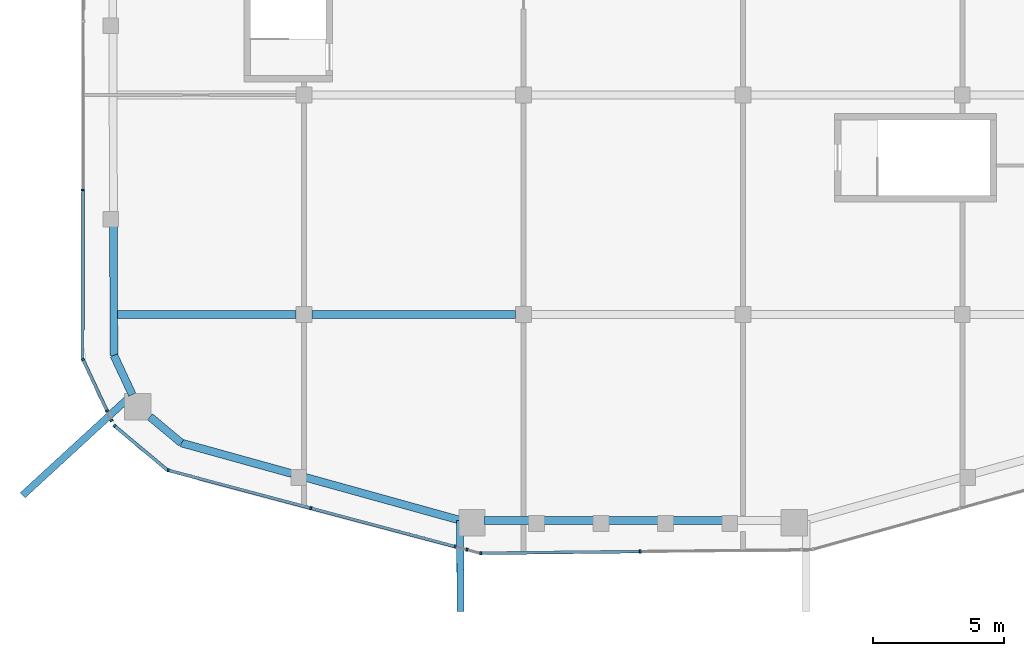
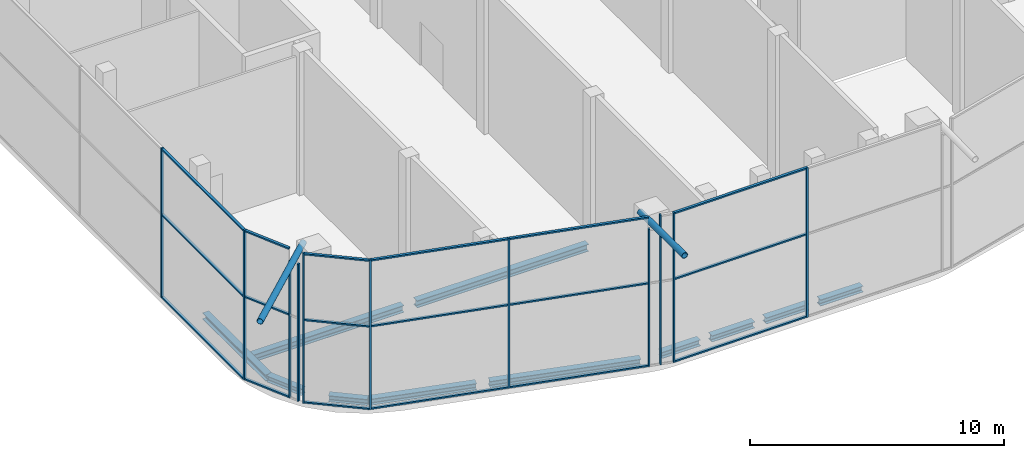
# One storey, part 2 of 23: 31 members, 11 beams, 8 elements without a shape of their own.
"""IFC4 building model written with IfcOpenShell, lengths in metres."""

import ifcopenshell
import ifcopenshell.guid

model = None  # the IFC model being written
_history = None  # IfcOwnerHistory: only IFC2X3 demands one
_inside = {}  # id of a spatial element -> (the spatial element, [elements in it])
_under = {}  # id of a project, library or spatial element -> (it, [spatial elements below it])
_declared = {}  # id of a project -> (the project, [libraries it declares])
_typed = {}  # id of a type object -> (the type object, [elements of that type])
_made_of = {}  # id of a material, layer set ... -> (it, [elements and type objects made of it])


def new_model(schema):
    """Start an empty IFC model of exactly this schema.

    Asked for "IFC4X3", IfcOpenShell would pick the latest addendum, in which some entities
    have other attributes; the version numbers below select the first issue.
    IFC2X3 requires an IfcOwnerHistory on every rooted entity: one is made here for all.
    """
    global model, _history
    if schema == "IFC4X3":
        model = ifcopenshell.file(schema_version=(4, 3, 0, 0))
    else:
        model = ifcopenshell.file(schema=schema)
    _inside.clear()
    _under.clear()
    _declared.clear()
    _typed.clear()
    _made_of.clear()
    _history = None
    if model.schema == "IFC2X3":
        org = make("IfcOrganization", Name="unknown")
        user = make(
            "IfcPersonAndOrganization",
            ThePerson=make("IfcPerson", FamilyName="unknown"),
            TheOrganization=org,
        )
        app = make(
            "IfcApplication",
            ApplicationDeveloper=org,
            Version="unknown",
            ApplicationFullName="unknown",
            ApplicationIdentifier="unknown",
        )
        _history = make(
            "IfcOwnerHistory",
            OwningUser=user,
            OwningApplication=app,
            ChangeAction="ADDED",
            CreationDate=0,
        )
    return model


def make(cls, **values):
    """One entity of the class cls with the attributes given. An attribute that is None is left unset."""
    return model.create_entity(
        cls, **{name: value for name, value in values.items() if value is not None}
    )


def rooted(cls, **values):
    """An entity with a GlobalId (a new one), such as an element, a storey or a relation."""
    return make(cls, GlobalId=ifcopenshell.guid.new(), OwnerHistory=_history, **values)


def si_unit(unit_type, name, prefix=None):
    """IfcSIUnit, for example si_unit("LENGTHUNIT", "METRE", prefix="MILLI")."""
    return make("IfcSIUnit", UnitType=unit_type, Prefix=prefix, Name=name)


def assignment(units):
    """IfcUnitAssignment: the units of a project."""
    return None if units is None else make("IfcUnitAssignment", Units=units)


def point(xyz):
    """IfcCartesianPoint."""
    return None if xyz is None else make("IfcCartesianPoint", Coordinates=xyz)


def direction(xyz):
    """IfcDirection."""
    return None if xyz is None else make("IfcDirection", DirectionRatios=xyz)


def frame(location, z_axis=None, x_axis=None):
    """IfcAxis2Placement3D, a coordinate frame: its origin and axes. An axis left out is left unset."""
    return make(
        "IfcAxis2Placement3D",
        Location=point(location),
        Axis=direction(z_axis),
        RefDirection=direction(x_axis),
    )


def frame_2d(location, x_axis=None):
    """IfcAxis2Placement2D, a coordinate frame in the plane: its origin and x axis."""
    return make(
        "IfcAxis2Placement2D", Location=point(location), RefDirection=direction(x_axis)
    )


def origin():
    """The frame at (0, 0, 0) with its axes left unset."""
    return frame((0.0, 0.0, 0.0))


def origin_2d():
    """The frame at (0, 0) in the plane with its x axis left unset."""
    return frame_2d((0.0, 0.0))


def place(relative_to, where):
    """IfcLocalPlacement: puts the frame where relative to a parent placement (None: the world)."""
    return make(
        "IfcLocalPlacement", PlacementRelTo=relative_to, RelativePlacement=where
    )


def context(
    kind, dimensions, precision=None, world=None, true_north=None, identifier=None
):
    """IfcGeometricRepresentationContext, for example the 3D "Model" context."""
    return make(
        "IfcGeometricRepresentationContext",
        ContextIdentifier=identifier,
        ContextType=kind,
        CoordinateSpaceDimension=dimensions,
        Precision=precision,
        WorldCoordinateSystem=world,
        TrueNorth=true_north,
    )


def subcontext(parent, identifier, kind, view, scale=None):
    """IfcGeometricRepresentationSubContext, for example "Body" below "Model"."""
    return make(
        "IfcGeometricRepresentationSubContext",
        ContextIdentifier=identifier,
        ContextType=kind,
        ParentContext=parent,
        TargetScale=scale,
        TargetView=view,
    )


def project(units=None, contexts=None):
    """IfcProject with its units and contexts."""
    return rooted(
        "IfcProject",
        Name="project",
        RepresentationContexts=contexts,
        UnitsInContext=assignment(units),
    )


def spatial(cls, under=None, at=None, **own):
    """A site, building, storey or space (cls), placed at a placement, below another one or the project."""
    s = rooted(cls, ObjectPlacement=at, **own)
    if under is not None:
        _under.setdefault(under.id(), (under, []))[1].append(s)
    return s


def profile(cls, at=None, kind="AREA", **sizes):
    """A parametric profile (cls). Its sizes go by their IFC names, for example OverallWidth=200.0."""
    return make(cls, ProfileType=kind, Position=at, **sizes)


def rectangle(**sizes):
    """IfcRectangleProfileDef."""
    return profile("IfcRectangleProfileDef", **sizes)


def hollow_circle(**sizes):
    """IfcCircleHollowProfileDef."""
    return profile("IfcCircleHollowProfileDef", **sizes)


def i_section(**sizes):
    """IfcIShapeProfileDef."""
    return profile("IfcIShapeProfileDef", **sizes)


def extrude(swept, where, along, depth):
    """IfcExtrudedAreaSolid: the profile swept, set in the frame where, extruded along a direction by depth."""
    return make(
        "IfcExtrudedAreaSolid",
        SweptArea=swept,
        Position=where,
        ExtrudedDirection=direction(along),
        Depth=depth,
    )


def shape(context_of_items, identifier, shape_type, items):
    """IfcShapeRepresentation: the items that make up one representation, for example the "Body"."""
    return make(
        "IfcShapeRepresentation",
        ContextOfItems=context_of_items,
        RepresentationIdentifier=identifier,
        RepresentationType=shape_type,
        Items=items,
    )


def material(Name=None, Category=None):
    """IfcMaterial."""
    return make("IfcMaterial", Name=Name, Category=Category)


def layer(
    of_material, thickness, ventilated=None, Name=None, Category=None, Priority=None
):
    """IfcMaterialLayer: one layer of a wall or slab, of a material (None: an air gap)."""
    return make(
        "IfcMaterialLayer",
        Material=of_material,
        LayerThickness=thickness,
        IsVentilated=ventilated,
        Name=Name,
        Category=Category,
        Priority=Priority,
    )


def layer_set(layers, Name=None):
    """IfcMaterialLayerSet."""
    return make("IfcMaterialLayerSet", MaterialLayers=layers, LayerSetName=Name)


def material_profile(
    of_material, cross_section, Name=None, Category=None, Priority=None
):
    """IfcMaterialProfile: a cross section and its material."""
    return make(
        "IfcMaterialProfile",
        Name=Name,
        Material=of_material,
        Profile=cross_section,
        Priority=Priority,
        Category=Category,
    )


def profile_set(profiles, Name=None, composite=None):
    """IfcMaterialProfileSet."""
    return make(
        "IfcMaterialProfileSet",
        Name=Name,
        MaterialProfiles=profiles,
        CompositeProfile=composite,
    )


def made_of(thing, what):
    """Note that an element or type object is made of a material, layer set ...; save() writes the relation."""
    if what is not None:
        _made_of.setdefault(what.id(), (what, []))[1].append(thing)
    return thing


def type_object(cls, material=None, **own):
    """A type object (cls), such as IfcWallType, which elements share."""
    return made_of(rooted(cls, **own), material)


def element(
    cls,
    number,
    at=None,
    inside=None,
    cuts=None,
    type_object=None,
    material=None,
    context=None,
    identifier="Body",
    shape_type=None,
    held_by="IfcProductDefinitionShape",
    body=None,
    shapes=None,
    **own,
):
    """One element of the class cls, such as IfcWall. Its Tag is "e" and its number.

    at: its placement. inside: the storey or other place that contains it. cuts: it is an
    opening in that element (IfcRelVoidsElement). A single representation is given by context,
    identifier, shape_type and body (its items); several are given by shapes. held_by: the class
    of the entity that holds the representations. save() writes the other relations.
    """
    e = rooted(cls, Tag="e%d" % number, ObjectPlacement=at, **own)
    if body is not None:
        shapes = [shape(context, identifier, shape_type, body)]
    if shapes is not None:
        e.Representation = make(held_by, Representations=shapes)
    if inside is not None:
        _inside.setdefault(inside.id(), (inside, []))[1].append(e)
    if cuts is not None:
        rooted(
            "IfcRelVoidsElement", RelatingBuildingElement=cuts, RelatedOpeningElement=e
        )
    if type_object is not None:
        _typed.setdefault(type_object.id(), (type_object, []))[1].append(e)
    return made_of(e, material)


def aggregate(whole, parts):
    """IfcRelAggregates: a whole, such as a stair, and the parts it consists of."""
    return rooted("IfcRelAggregates", RelatingObject=whole, RelatedObjects=parts)


def save(model, path):
    """Write the relations noted so far, then the file.

    IfcRelAggregates (storeys below a building ...), IfcRelContainedInSpatialStructure (elements
    in a storey), IfcRelDefinesByType, IfcRelAssociatesMaterial and IfcRelDeclares: one each for
    every whole, place, type object, material and project.
    """
    for whole, parts in _under.values():
        aggregate(whole, parts)
    for where, things in _inside.values():
        rooted(
            "IfcRelContainedInSpatialStructure",
            RelatedElements=things,
            RelatingStructure=where,
        )
    for kind, things in _typed.values():
        rooted("IfcRelDefinesByType", RelatedObjects=things, RelatingType=kind)
    for what, things in _made_of.values():
        rooted("IfcRelAssociatesMaterial", RelatedObjects=things, RelatingMaterial=what)
    for by, libraries in _declared.values():
        rooted("IfcRelDeclares", RelatingContext=by, RelatedDefinitions=libraries)
    model.write(path)


model = new_model("IFC4")

# Units and contexts
model_context = context("Model", 3, precision=1e-05, world=origin(), true_north=direction((0.0, 1.0)))
body_context = subcontext(model_context, "Body", "Model", "MODEL_VIEW")
ifc_project = project(units=[si_unit("LENGTHUNIT", "METRE"), si_unit("AREAUNIT", "SQUARE_METRE"), si_unit("VOLUMEUNIT", "CUBIC_METRE"), si_unit("PLANEANGLEUNIT", "RADIAN"), si_unit("MASSUNIT", "GRAM", prefix="KILO")], contexts=[model_context])

# Site, building, storey
site_placement = place(None, origin())
site = spatial("IfcSite", under=ifc_project, at=site_placement, CompositionType="ELEMENT")
building_placement = place(site_placement, origin())
building = spatial("IfcBuilding", under=site, at=building_placement, Name="Marenta Gate Hotel Tower", CompositionType="ELEMENT")
storey_placement = place(building_placement, frame((0.0, 0.0, 288.5)))
storey = spatial("IfcBuildingStorey", under=building, at=storey_placement, Name="L66", CompositionType="ELEMENT", Elevation=288.5)

# Beams
ifc_material_1 = material(Name="Steel S355", Category="steel")
ifc_material_profile_1 = material_profile(ifc_material_1, i_section(OverallWidth=0.300048828125, OverallDepth=0.300048828125, WebThickness=0.010986328125, FlangeThickness=0.01904296875, FilletRadius=0.027099609375, at=origin_2d()), Name="HEB 300")
ifc_profile_set_1 = profile_set([ifc_material_profile_1], Name="Steel S355")
beam_type_1 = type_object("IfcBeamType", Name="Edge beam HEB 300", PredefinedType="SPANDREL", material=ifc_profile_set_1)
beam_1_placement = place(storey_placement, frame((-6.627685546875, -33.077880859375, -0.409912109375), z_axis=(-0.963620927714, 0.267272721524, 0.0), x_axis=(-0.267272721524, -0.963620927714, 0.0)))
element("IfcBeam", 1, at=beam_1_placement, inside=storey, type_object=beam_type_1, Name="L66-EB-1", PredefinedType="SPANDREL", context=body_context, shape_type="SweptSolid", body=[
    extrude(i_section(OverallWidth=0.300048828125, OverallDepth=0.300048828125, WebThickness=0.010986328125, FlangeThickness=0.01904296875, FilletRadius=0.027099609375, at=origin_2d()), origin(), (0.0, 0.0, 1.0), 6.14111328125),
])
beam_2_placement = place(storey_placement, frame((-13.068359375, -31.29150390625, -0.409912109375), z_axis=(-0.963619865986, 0.267276549434, 0.0), x_axis=(-0.267276549434, -0.963619865986, 0.0)))
element("IfcBeam", 2, at=beam_2_placement, inside=storey, type_object=beam_type_1, Name="L66-EB-2", PredefinedType="SPANDREL", context=body_context, shape_type="SweptSolid", body=[
    extrude(i_section(OverallWidth=0.300048828125, OverallDepth=0.300048828125, WebThickness=0.010986328125, FlangeThickness=0.01904296875, FilletRadius=0.027099609375, at=origin_2d()), origin(), (0.0, 0.0, 1.0), 4.38818359375),
])
beam_3_placement = place(storey_placement, frame((-17.296875, -30.11865234375, -0.409912109375), z_axis=(-0.767142679, 0.641476507797, 0.0), x_axis=(-0.641476507797, -0.767142679, 0.0)))
element("IfcBeam", 3, at=beam_3_placement, inside=storey, type_object=beam_type_1, Name="L66-EB-3", PredefinedType="SPANDREL", context=body_context, shape_type="SweptSolid", body=[
    extrude(i_section(OverallWidth=0.300048828125, OverallDepth=0.300048828125, WebThickness=0.010986328125, FlangeThickness=0.01904296875, FilletRadius=0.027099609375, at=origin_2d()), origin(), (0.0, 0.0, 1.0), 1.56005859375),
])
beam_4_placement = place(storey_placement, frame((-19.17333984375, -28.269287109375, -0.409912109375), z_axis=(-0.423320693933, 0.905979906007, 0.0), x_axis=(-0.905979906007, -0.423320693933, 0.0)))
element("IfcBeam", 4, at=beam_4_placement, inside=storey, type_object=beam_type_1, Name="L66-EB-4", PredefinedType="SPANDREL", context=body_context, shape_type="SweptSolid", body=[
    extrude(i_section(OverallWidth=0.300048828125, OverallDepth=0.300048828125, WebThickness=0.010986328125, FlangeThickness=0.01904296875, FilletRadius=0.027099609375, at=origin_2d()), origin(), (0.0, 0.0, 1.0), 1.658203125),
])
beam_5_placement = place(storey_placement, frame((-19.875244140625, -26.76708984375, -0.409912109375), z_axis=(-0.003301125095, 0.999994551272, 0.0), x_axis=(-0.999994551272, -0.003301125095, 0.0)))
element("IfcBeam", 5, at=beam_5_placement, inside=storey, type_object=beam_type_1, Name="L66-EB-5", PredefinedType="SPANDREL", context=body_context, shape_type="SweptSolid", body=[
    extrude(i_section(OverallWidth=0.300048828125, OverallDepth=0.300048828125, WebThickness=0.010986328125, FlangeThickness=0.01904296875, FilletRadius=0.027099609375, at=origin_2d()), origin(), (0.0, 0.0, 1.0), 4.955078125),
])
for number, where, z_axis, x_axis, name in (
    (6, (3.440185546875, -33.09130859375, -0.409912109375), (-1.0, 0.0, 0.0), (0.0, -1.0, 0.0), "L66-EB-32"),
    (7, (0.973388671875, -33.09130859375, -0.409912109375), (-1.0, 0.0, 0.0), (0.0, -1.0, 0.0), "L66-EB-33"),
    (8, (-1.493408203125, -33.09130859375, -0.409912109375), (-1.0, 0.0, 0.0), (0.0, -1.0, 0.0), "L66-EB-34"),
):
    element("IfcBeam", number, at=place(storey_placement, frame(where, z_axis=z_axis, x_axis=x_axis)), inside=storey, type_object=beam_type_1, Name=name, PredefinedType="SPANDREL", context=body_context, shape_type="SweptSolid", body=[
        extrude(i_section(OverallWidth=0.300048828125, OverallDepth=0.300048828125, WebThickness=0.010986328125, FlangeThickness=0.01904296875, FilletRadius=0.027099609375, at=origin_2d()), origin(), (0.0, 0.0, 1.0), 1.94677734375),
    ])
beam_6_placement = place(storey_placement, frame((-3.960205078125, -33.09130859375, -0.409912109375), z_axis=(-1.0, 0.0, 0.0), x_axis=(0.0, -1.0, 0.0)))
element("IfcBeam", 9, at=beam_6_placement, inside=storey, type_object=beam_type_1, Name="L66-EB-35", PredefinedType="SPANDREL", context=body_context, shape_type="SweptSolid", body=[
    extrude(i_section(OverallWidth=0.300048828125, OverallDepth=0.300048828125, WebThickness=0.010986328125, FlangeThickness=0.01904296875, FilletRadius=0.027099609375, at=origin_2d()), origin(), (0.0, 0.0, 1.0), 1.74609375),
])

# Members
ifc_material_2 = material(Name="Steel S355J2W", Category="steel")
ifc_material_profile_2 = material_profile(ifc_material_2, hollow_circle(Radius=0.136474609375, WallThickness=0.012451171875, at=origin_2d()), Name="CHS 273x12.5")
ifc_profile_set_2 = profile_set([ifc_material_profile_2], Name="Steel S355J2W")
member_type_1 = type_object("IfcMemberType", Name="Floor tie CHS 273x12.5", PredefinedType="STRUT", material=ifc_profile_set_2)
member_1_placement = place(storey_placement, frame((-6.60888671875, -36.570068359375, 6.739990234375), z_axis=(-0.005391700916, 0.999985464675, 0.0), x_axis=(-0.999985464675, -0.005391700916, 0.0)))
element("IfcMember", 10, at=member_1_placement, inside=storey, type_object=member_type_1, Name="L66-DR-4", PredefinedType="STRUT", context=body_context, shape_type="SweptSolid", body=[
    extrude(hollow_circle(Radius=0.136474609375, WallThickness=0.012451171875, at=origin_2d()), origin(), (0.0, 0.0, 1.0), 3.486572265625),
])
member_2_placement = place(storey_placement, frame((-23.3701171875, -32.123291015625, 6.739990234375), z_axis=(0.736553871994, 0.676378883209, 0.0), x_axis=(-0.676378883209, 0.736553871994, 0.0)))
element("IfcMember", 11, at=member_2_placement, inside=storey, type_object=member_type_1, Name="L66-DR-5", PredefinedType="STRUT", context=body_context, shape_type="SweptSolid", body=[
    extrude(hollow_circle(Radius=0.136474609375, WallThickness=0.012451171875, at=origin_2d()), origin(), (0.0, 0.0, 1.0), 5.692138671875),
])

# Beams
ifc_material_3 = material(Name="Steel S355", Category="steel")
ifc_material_profile_3 = material_profile(ifc_material_3, i_section(OverallWidth=0.300048828125, OverallDepth=0.340087890625, WebThickness=0.011962890625, FlangeThickness=0.021484375, FilletRadius=0.027099609375, at=origin_2d()), Name="HEB 340")
ifc_profile_set_3 = profile_set([ifc_material_profile_3], Name="Steel S355")
beam_type_2 = type_object("IfcBeamType", Name="Girder HEB 340", PredefinedType="BEAM", material=ifc_profile_set_3)
beam_7_placement = place(storey_placement, frame((-19.73046875, -25.199951171875, -0.429931640625), z_axis=(1.0, 0.0, 0.0), x_axis=(0.0, 1.0, 0.0)))
element("IfcBeam", 12, at=beam_7_placement, inside=storey, type_object=beam_type_2, Name="L66-GD-1", PredefinedType="BEAM", context=body_context, shape_type="SweptSolid", body=[
    extrude(i_section(OverallWidth=0.300048828125, OverallDepth=0.340087890625, WebThickness=0.011962890625, FlangeThickness=0.021484375, FilletRadius=0.027099609375, at=origin_2d()), origin(), (0.0, 0.0, 1.0), 6.83056640625),
])
beam_8_placement = place(storey_placement, frame((-12.300048828125, -25.199951171875, -0.429931640625), z_axis=(1.0, 0.0, 0.0), x_axis=(0.0, 1.0, 0.0)))
element("IfcBeam", 13, at=beam_8_placement, inside=storey, type_object=beam_type_2, Name="L66-GD-2", PredefinedType="BEAM", context=body_context, shape_type="SweptSolid", body=[
    extrude(i_section(OverallWidth=0.300048828125, OverallDepth=0.340087890625, WebThickness=0.011962890625, FlangeThickness=0.021484375, FilletRadius=0.027099609375, at=origin_2d()), origin(), (0.0, 0.0, 1.0), 7.800048828125),
])

# Curtain wall, member
ifc_material_4 = material(Name="Tinted insulated glass in bronze anodised frame", Category="glass")
ifc_layer = layer(ifc_material_4, 0.1201171875)
ifc_layer_set = layer_set([ifc_layer], Name="Tinted insulated glass in bronze anodised frame")
curtain_wall_type = type_object("IfcCurtainWallType", Name="Sky restaurant glazing CW4", PredefinedType="NOTDEFINED", material=ifc_layer_set)
curtain_wall_1_placement = place(storey_placement, origin())
curtain_wall_1 = element("IfcCurtainWall", 14, at=curtain_wall_1_placement, inside=storey, type_object=curtain_wall_type, Name="CW4 run G05", PredefinedType="NOTDEFINED")
ifc_material_5 = material(Name="Bronze anodised aluminium", Category="aluminium")
ifc_material_profile_4 = material_profile(ifc_material_5, rectangle(XDim=0.1201171875, YDim=0.070068359375, at=origin_2d()), Name="Mullion CW4 70x120 bronze anodised aluminium")
ifc_profile_set_4 = profile_set([ifc_material_profile_4], Name="Bronze anodised aluminium")
member_type_2 = type_object("IfcMemberType", Name="Mullion CW4 70x120 bronze anodised aluminium", PredefinedType="MULLION", material=ifc_profile_set_4)
member_3_placement = place(storey_placement, frame((-21.06298828125, -20.433837890625, 0.0), z_axis=(0.0, 0.0, 1.0), x_axis=(0.99999877375, -0.001566045546, 0.0)))
member_3 = element("IfcMember", 15, at=member_3_placement, type_object=member_type_2, Name="CW4 mullion 6", PredefinedType="MULLION", context=body_context, shape_type="SweptSolid", body=[
    extrude(rectangle(XDim=0.1201171875, YDim=0.070068359375, at=origin_2d()), origin(), (0.0, 0.0, 1.0), 7.199951171875),
])

curtain_wall_2_placement = place(storey_placement, origin())
curtain_wall_2 = element("IfcCurtainWall", 16, at=curtain_wall_2_placement, inside=storey, type_object=curtain_wall_type, Name="CW4 run G06", PredefinedType="NOTDEFINED")
member_4_placement = place(storey_placement, frame((-21.05810546875, -26.925537109375, 0.0), z_axis=(0.0, 0.0, 1.0), x_axis=(0.905971332066, 0.423339043172, 0.0)))
member_4 = element("IfcMember", 17, at=member_4_placement, type_object=member_type_2, Name="CW4 mullion 1", PredefinedType="MULLION", context=body_context, shape_type="SweptSolid", body=[
    extrude(rectangle(XDim=0.1201171875, YDim=0.070068359375, at=origin_2d()), origin(), (0.0, 0.0, 1.0), 7.199951171875),
])

# Curtain wall, members
curtain_wall_3_placement = place(storey_placement, origin())
curtain_wall_3 = element("IfcCurtainWall", 18, at=curtain_wall_3_placement, inside=storey, type_object=curtain_wall_type, Name="CW4 run G07", PredefinedType="NOTDEFINED")
member_5_placement = place(storey_placement, frame((-20.138671875, -28.8935546875, 0.0), z_axis=(0.0, 0.0, 1.0), x_axis=(0.905946334591, 0.423392535174, 0.0)))
member_5 = element("IfcMember", 19, at=member_5_placement, type_object=member_type_2, Name="CW4 mullion 1", PredefinedType="MULLION", context=body_context, shape_type="SweptSolid", body=[
    extrude(rectangle(XDim=0.1201171875, YDim=0.070068359375, at=origin_2d()), origin(), (0.0, 0.0, 1.0), 6.6005859375),
])
member_6_placement = place(storey_placement, frame((-19.967041015625, -29.260498046875, 0.0), z_axis=(0.0, 0.0, 1.0), x_axis=(0.905946334591, 0.423392535174, 0.0)))
member_6 = element("IfcMember", 20, at=member_6_placement, type_object=member_type_2, Name="CW4 mullion 2", PredefinedType="MULLION", context=body_context, shape_type="SweptSolid", body=[
    extrude(rectangle(XDim=0.1201171875, YDim=0.070068359375, at=origin_2d()), origin(), (0.0, 0.0, 1.0), 6.6005859375),
])
aggregate(curtain_wall_3, [member_5, member_6])

# Curtain wall, member
curtain_wall_4_placement = place(storey_placement, origin())
curtain_wall_4 = element("IfcCurtainWall", 21, at=curtain_wall_4_placement, inside=storey, type_object=curtain_wall_type, Name="CW4 run G08", PredefinedType="NOTDEFINED")
member_7_placement = place(storey_placement, frame((-19.85595703125, -29.463134765625, 0.0), z_axis=(0.0, 0.0, 1.0), x_axis=(0.641524739495, 0.767102345594, 0.0)))
member_7 = element("IfcMember", 22, at=member_7_placement, type_object=member_type_2, Name="CW4 mullion 1", PredefinedType="MULLION", context=body_context, shape_type="SweptSolid", body=[
    extrude(rectangle(XDim=0.1201171875, YDim=0.070068359375, at=origin_2d()), origin(), (0.0, 0.0, 1.0), 7.199951171875),
])

# Curtain wall, members
curtain_wall_5_placement = place(storey_placement, origin())
curtain_wall_5 = element("IfcCurtainWall", 23, at=curtain_wall_5_placement, inside=storey, type_object=curtain_wall_type, Name="CW4 run G09", PredefinedType="NOTDEFINED")
member_8_placement = place(storey_placement, frame((-17.801513671875, -31.162109375, 0.0), z_axis=(0.0, 0.0, 1.0), x_axis=(0.257136488591, 0.966375096034, 0.0)))
member_8 = element("IfcMember", 24, at=member_8_placement, type_object=member_type_2, Name="CW4 mullion 1", PredefinedType="MULLION", context=body_context, shape_type="SweptSolid", body=[
    extrude(rectangle(XDim=0.1201171875, YDim=0.070068359375, at=origin_2d()), origin(), (0.0, 0.0, 1.0), 7.199951171875),
])
member_9_placement = place(storey_placement, frame((-12.342041015625, -32.61474609375, 0.0), z_axis=(0.0, 0.0, 1.0), x_axis=(0.257136488591, 0.966375096034, 0.0)))
member_9 = element("IfcMember", 25, at=member_9_placement, type_object=member_type_2, Name="CW4 mullion 2", PredefinedType="MULLION", context=body_context, shape_type="SweptSolid", body=[
    extrude(rectangle(XDim=0.1201171875, YDim=0.070068359375, at=origin_2d()), origin(), (0.0, 0.0, 1.0), 7.199951171875),
])

# Curtain wall, member
curtain_wall_6_placement = place(storey_placement, origin())
curtain_wall_6 = element("IfcCurtainWall", 26, at=curtain_wall_6_placement, inside=storey, type_object=curtain_wall_type, Name="CW4 run G10", PredefinedType="NOTDEFINED")
member_10_placement = place(storey_placement, frame((-6.815185546875, -34.08544921875, 0.0), z_axis=(0.0, 0.0, 1.0), x_axis=(0.257092540066, 0.966386788942, 0.0)))
member_10 = element("IfcMember", 27, at=member_10_placement, type_object=member_type_2, Name="CW4 mullion 1", PredefinedType="MULLION", context=body_context, shape_type="SweptSolid", body=[
    extrude(rectangle(XDim=0.1201171875, YDim=0.070068359375, at=origin_2d()), origin(), (0.0, 0.0, 1.0), 6.6005859375),
])
aggregate(curtain_wall_6, [member_10])

curtain_wall_7_placement = place(storey_placement, origin())
curtain_wall_7 = element("IfcCurtainWall", 28, at=curtain_wall_7_placement, inside=storey, type_object=curtain_wall_type, Name="CW4 run G11", PredefinedType="NOTDEFINED")
member_11_placement = place(storey_placement, frame((-6.361328125, -34.2060546875, 0.0), z_axis=(0.0, 0.0, 1.0), x_axis=(0.257082610818, 0.966389430413, 0.0)))
member_11 = element("IfcMember", 29, at=member_11_placement, type_object=member_type_2, Name="CW4 mullion 1", PredefinedType="MULLION", context=body_context, shape_type="SweptSolid", body=[
    extrude(rectangle(XDim=0.1201171875, YDim=0.070068359375, at=origin_2d()), origin(), (0.0, 0.0, 1.0), 7.199951171875),
])
aggregate(curtain_wall_7, [member_11])

# Curtain wall, members
curtain_wall_8_placement = place(storey_placement, origin())
curtain_wall_8 = element("IfcCurtainWall", 30, at=curtain_wall_8_placement, inside=storey, type_object=curtain_wall_type, Name="CW4 run G12", PredefinedType="NOTDEFINED")
member_12_placement = place(storey_placement, frame((-5.831298828125, -34.33740234375, 0.0), z_axis=(0.0, 0.0, 1.0), x_axis=(-0.010634312796, 0.999943454097, 0.0)))
member_12 = element("IfcMember", 31, at=member_12_placement, type_object=member_type_2, Name="CW4 mullion 1", PredefinedType="MULLION", context=body_context, shape_type="SweptSolid", body=[
    extrude(rectangle(XDim=0.1201171875, YDim=0.070068359375, at=origin_2d()), origin(), (0.0, 0.0, 1.0), 7.199951171875),
])
member_13_placement = place(storey_placement, frame((0.264404296875, -34.272705078125, 0.0), z_axis=(0.0, 0.0, 1.0), x_axis=(-0.010634312796, 0.999943454097, 0.0)))
member_13 = element("IfcMember", 32, at=member_13_placement, type_object=member_type_2, Name="CW4 mullion 2", PredefinedType="MULLION", context=body_context, shape_type="SweptSolid", body=[
    extrude(rectangle(XDim=0.1201171875, YDim=0.070068359375, at=origin_2d()), origin(), (0.0, 0.0, 1.0), 7.199951171875),
])

# Member
ifc_material_6 = material(Name="Bronze anodised aluminium", Category="aluminium")
ifc_material_profile_5 = material_profile(ifc_material_6, rectangle(XDim=0.1201171875, YDim=0.070068359375, at=origin_2d()), Name="Transom CW4 70x120 bronze anodised aluminium")
ifc_profile_set_5 = profile_set([ifc_material_profile_5], Name="Bronze anodised aluminium")
member_type_3 = type_object("IfcMemberType", Name="Transom CW4 70x120 bronze anodised aluminium", PredefinedType="USERDEFINED", material=ifc_profile_set_5)
member_14_placement = place(storey_placement, frame((-21.06298828125, -20.46875, 0.034912109375), z_axis=(-0.001557926445, -0.999998786432, 0.0), x_axis=(0.999998786432, -0.001557926445, 0.0)))
member_14 = element("IfcMember", 33, at=member_14_placement, type_object=member_type_3, Name="CW4 transom 6.1", ObjectType="TRANSOM", PredefinedType="USERDEFINED", context=body_context, shape_type="SweptSolid", body=[
    extrude(rectangle(XDim=0.1201171875, YDim=0.070068359375, at=origin_2d()), origin(), (0.0, 0.0, 1.0), 6.425048828125),
])

member_15_placement = place(storey_placement, frame((-21.06298828125, -20.46875, 4.0), z_axis=(-0.001557926445, -0.999998786432, 0.0), x_axis=(0.999998786432, -0.001557926445, 0.0)))
member_15 = element("IfcMember", 34, at=member_15_placement, type_object=member_type_3, Name="CW4 transom 6.2", ObjectType="TRANSOM", PredefinedType="USERDEFINED", context=body_context, shape_type="SweptSolid", body=[
    extrude(rectangle(XDim=0.1201171875, YDim=0.070068359375, at=origin_2d()), origin(), (0.0, 0.0, 1.0), 6.425048828125),
])

member_16_placement = place(storey_placement, frame((-21.06298828125, -20.46875, 7.1650390625), z_axis=(-0.001557926445, -0.999998786432, 0.0), x_axis=(0.999998786432, -0.001557926445, 0.0)))
member_16 = element("IfcMember", 35, at=member_16_placement, type_object=member_type_3, Name="CW4 transom 6.3", ObjectType="TRANSOM", PredefinedType="USERDEFINED", context=body_context, shape_type="SweptSolid", body=[
    extrude(rectangle(XDim=0.1201171875, YDim=0.070068359375, at=origin_2d()), origin(), (0.0, 0.0, 1.0), 6.425048828125),
])

aggregate(curtain_wall_1, [member_3, member_14, member_15, member_16])

member_17_placement = place(storey_placement, frame((-21.04345703125, -26.957275390625, 0.034912109375), z_axis=(0.42341306847, -0.905936738105, 0.0), x_axis=(0.905936738105, 0.42341306847, 0.0)))
member_17 = element("IfcMember", 36, at=member_17_placement, type_object=member_type_3, Name="CW4 transom 1.1", ObjectType="TRANSOM", PredefinedType="USERDEFINED", context=body_context, shape_type="SweptSolid", body=[
    extrude(rectangle(XDim=0.1201171875, YDim=0.070068359375, at=origin_2d()), origin(), (0.0, 0.0, 1.0), 2.102294921875),
])

member_18_placement = place(storey_placement, frame((-21.04345703125, -26.957275390625, 4.0), z_axis=(0.42341306847, -0.905936738105, 0.0), x_axis=(0.905936738105, 0.42341306847, 0.0)))
member_18 = element("IfcMember", 37, at=member_18_placement, type_object=member_type_3, Name="CW4 transom 1.2", ObjectType="TRANSOM", PredefinedType="USERDEFINED", context=body_context, shape_type="SweptSolid", body=[
    extrude(rectangle(XDim=0.1201171875, YDim=0.070068359375, at=origin_2d()), origin(), (0.0, 0.0, 1.0), 2.102294921875),
])

member_19_placement = place(storey_placement, frame((-21.04345703125, -26.957275390625, 7.1650390625), z_axis=(0.42341306847, -0.905936738105, 0.0), x_axis=(0.905936738105, 0.42341306847, 0.0)))
member_19 = element("IfcMember", 38, at=member_19_placement, type_object=member_type_3, Name="CW4 transom 1.3", ObjectType="TRANSOM", PredefinedType="USERDEFINED", context=body_context, shape_type="SweptSolid", body=[
    extrude(rectangle(XDim=0.1201171875, YDim=0.070068359375, at=origin_2d()), origin(), (0.0, 0.0, 1.0), 2.102294921875),
])

aggregate(curtain_wall_2, [member_4, member_17, member_18, member_19])

member_20_placement = place(storey_placement, frame((-19.8291015625, -29.485595703125, 0.034912109375), z_axis=(0.767103763253, -0.641523044327, 0.0), x_axis=(0.641523044327, 0.767103763253, 0.0)))
member_20 = element("IfcMember", 39, at=member_20_placement, type_object=member_type_3, Name="CW4 transom 1.1", ObjectType="TRANSOM", PredefinedType="USERDEFINED", context=body_context, shape_type="SweptSolid", body=[
    extrude(rectangle(XDim=0.1201171875, YDim=0.070068359375, at=origin_2d()), origin(), (0.0, 0.0, 1.0), 2.599365234375),
])

member_21_placement = place(storey_placement, frame((-19.8291015625, -29.485595703125, 4.0), z_axis=(0.767103763253, -0.641523044327, 0.0), x_axis=(0.641523044327, 0.767103763253, 0.0)))
member_21 = element("IfcMember", 40, at=member_21_placement, type_object=member_type_3, Name="CW4 transom 1.2", ObjectType="TRANSOM", PredefinedType="USERDEFINED", context=body_context, shape_type="SweptSolid", body=[
    extrude(rectangle(XDim=0.1201171875, YDim=0.070068359375, at=origin_2d()), origin(), (0.0, 0.0, 1.0), 2.599365234375),
])

member_22_placement = place(storey_placement, frame((-19.8291015625, -29.485595703125, 7.1650390625), z_axis=(0.767103763253, -0.641523044327, 0.0), x_axis=(0.641523044327, 0.767103763253, 0.0)))
member_22 = element("IfcMember", 41, at=member_22_placement, type_object=member_type_3, Name="CW4 transom 1.3", ObjectType="TRANSOM", PredefinedType="USERDEFINED", context=body_context, shape_type="SweptSolid", body=[
    extrude(rectangle(XDim=0.1201171875, YDim=0.070068359375, at=origin_2d()), origin(), (0.0, 0.0, 1.0), 2.599365234375),
])

aggregate(curtain_wall_4, [member_7, member_20, member_21, member_22])

member_23_placement = place(storey_placement, frame((-17.767578125, -31.171142578125, 0.034912109375), z_axis=(0.966377145566, -0.257128785879, 0.0), x_axis=(0.257128785879, 0.966377145566, 0.0)))
member_23 = element("IfcMember", 42, at=member_23_placement, type_object=member_type_3, Name="CW4 transom 1.1", ObjectType="TRANSOM", PredefinedType="USERDEFINED", context=body_context, shape_type="SweptSolid", body=[
    extrude(rectangle(XDim=0.1201171875, YDim=0.070068359375, at=origin_2d()), origin(), (0.0, 0.0, 1.0), 5.5791015625),
])

member_24_placement = place(storey_placement, frame((-17.767578125, -31.171142578125, 4.0), z_axis=(0.966377145566, -0.257128785879, 0.0), x_axis=(0.257128785879, 0.966377145566, 0.0)))
member_24 = element("IfcMember", 43, at=member_24_placement, type_object=member_type_3, Name="CW4 transom 1.2", ObjectType="TRANSOM", PredefinedType="USERDEFINED", context=body_context, shape_type="SweptSolid", body=[
    extrude(rectangle(XDim=0.1201171875, YDim=0.070068359375, at=origin_2d()), origin(), (0.0, 0.0, 1.0), 5.5791015625),
])

member_25_placement = place(storey_placement, frame((-17.767578125, -31.171142578125, 7.1650390625), z_axis=(0.966377145566, -0.257128785879, 0.0), x_axis=(0.257128785879, 0.966377145566, 0.0)))
member_25 = element("IfcMember", 44, at=member_25_placement, type_object=member_type_3, Name="CW4 transom 1.3", ObjectType="TRANSOM", PredefinedType="USERDEFINED", context=body_context, shape_type="SweptSolid", body=[
    extrude(rectangle(XDim=0.1201171875, YDim=0.070068359375, at=origin_2d()), origin(), (0.0, 0.0, 1.0), 5.5791015625),
])

member_26_placement = place(storey_placement, frame((-12.308349609375, -32.623779296875, 0.034912109375), z_axis=(0.966376811028, -0.257130043181, 0.0), x_axis=(0.257130043181, 0.966376811028, 0.0)))
member_26 = element("IfcMember", 45, at=member_26_placement, type_object=member_type_3, Name="CW4 transom 2.1", ObjectType="TRANSOM", PredefinedType="USERDEFINED", context=body_context, shape_type="SweptSolid", body=[
    extrude(rectangle(XDim=0.1201171875, YDim=0.070068359375, at=origin_2d()), origin(), (0.0, 0.0, 1.0), 5.6494140625),
])

member_27_placement = place(storey_placement, frame((-12.308349609375, -32.623779296875, 4.0), z_axis=(0.966376811028, -0.257130043181, 0.0), x_axis=(0.257130043181, 0.966376811028, 0.0)))
member_27 = element("IfcMember", 46, at=member_27_placement, type_object=member_type_3, Name="CW4 transom 2.2", ObjectType="TRANSOM", PredefinedType="USERDEFINED", context=body_context, shape_type="SweptSolid", body=[
    extrude(rectangle(XDim=0.1201171875, YDim=0.070068359375, at=origin_2d()), origin(), (0.0, 0.0, 1.0), 5.6494140625),
])

member_28_placement = place(storey_placement, frame((-12.308349609375, -32.623779296875, 7.1650390625), z_axis=(0.966376811028, -0.257130043181, 0.0), x_axis=(0.257130043181, 0.966376811028, 0.0)))
member_28 = element("IfcMember", 47, at=member_28_placement, type_object=member_type_3, Name="CW4 transom 2.3", ObjectType="TRANSOM", PredefinedType="USERDEFINED", context=body_context, shape_type="SweptSolid", body=[
    extrude(rectangle(XDim=0.1201171875, YDim=0.070068359375, at=origin_2d()), origin(), (0.0, 0.0, 1.0), 5.6494140625),
])

aggregate(curtain_wall_5, [member_8, member_9, member_23, member_24, member_25, member_26, member_27, member_28])

member_29_placement = place(storey_placement, frame((-5.79638671875, -34.337158203125, 0.034912109375), z_axis=(0.999943234584, 0.010654933583, 0.0), x_axis=(-0.010654933583, 0.999943234584, 0.0)))
member_29 = element("IfcMember", 48, at=member_29_placement, type_object=member_type_3, Name="CW4 transom 1.1", ObjectType="TRANSOM", PredefinedType="USERDEFINED", context=body_context, shape_type="SweptSolid", body=[
    extrude(rectangle(XDim=0.1201171875, YDim=0.070068359375, at=origin_2d()), origin(), (0.0, 0.0, 1.0), 6.026123046875),
])

member_30_placement = place(storey_placement, frame((-5.79638671875, -34.337158203125, 4.0), z_axis=(0.999943234584, 0.010654933583, 0.0), x_axis=(-0.010654933583, 0.999943234584, 0.0)))
member_30 = element("IfcMember", 49, at=member_30_placement, type_object=member_type_3, Name="CW4 transom 1.2", ObjectType="TRANSOM", PredefinedType="USERDEFINED", context=body_context, shape_type="SweptSolid", body=[
    extrude(rectangle(XDim=0.1201171875, YDim=0.070068359375, at=origin_2d()), origin(), (0.0, 0.0, 1.0), 6.026123046875),
])

member_31_placement = place(storey_placement, frame((-5.79638671875, -34.337158203125, 7.1650390625), z_axis=(0.999943234584, 0.010654933583, 0.0), x_axis=(-0.010654933583, 0.999943234584, 0.0)))
member_31 = element("IfcMember", 50, at=member_31_placement, type_object=member_type_3, Name="CW4 transom 1.3", ObjectType="TRANSOM", PredefinedType="USERDEFINED", context=body_context, shape_type="SweptSolid", body=[
    extrude(rectangle(XDim=0.1201171875, YDim=0.070068359375, at=origin_2d()), origin(), (0.0, 0.0, 1.0), 6.026123046875),
])

aggregate(curtain_wall_8, [member_12, member_13, member_29, member_30, member_31])

save(model, "model.ifc")
